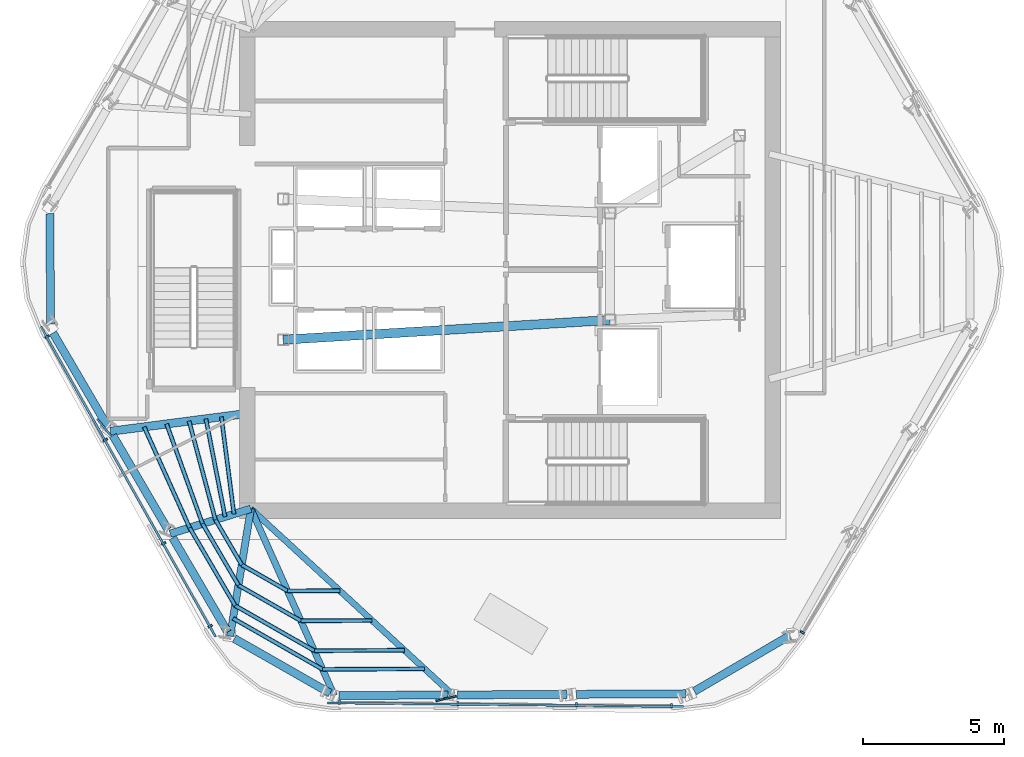
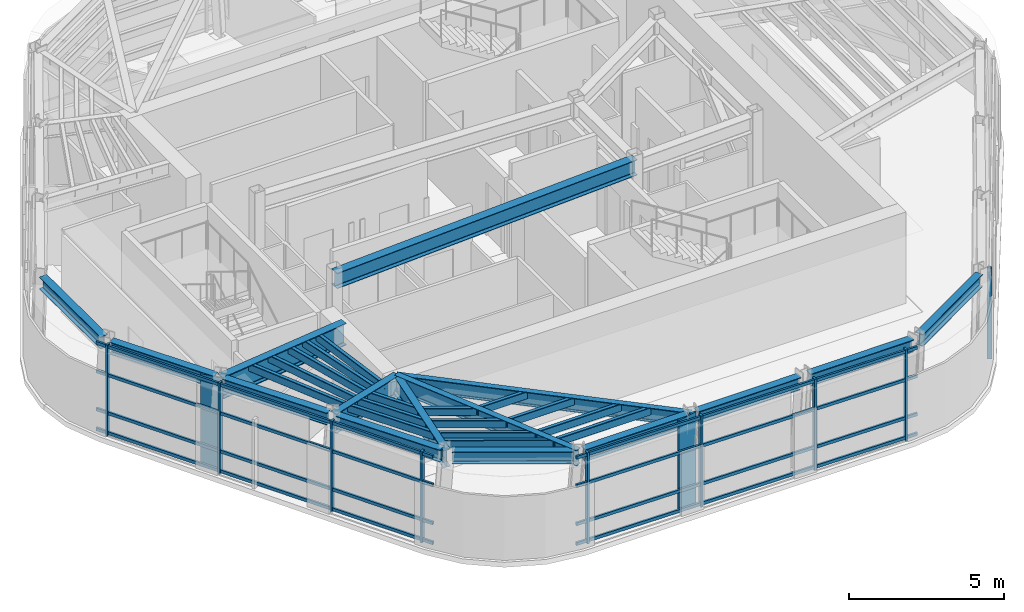
# One storey, part 2 of 13: 35 members, 15 beams, 3 elements without a shape of their own.
"""IFC4 building model written with IfcOpenShell, lengths in metres."""

from ifc_helpers import new_model, si_unit, direction, frame, origin, origin_2d, place, context, subcontext, project, spatial, rectangle, hollow_rectangle, i_section, extrude, material, layer, layer_set, material_profile, profile_set, type_object, element, aggregate, save


model = new_model("IFC4")

# Units and contexts
model_context = context("Model", 3, precision=1e-05, world=origin(), true_north=direction((0.0, 1.0)))
body_context = subcontext(model_context, "Body", "Model", "MODEL_VIEW")
ifc_project = project(units=[si_unit("LENGTHUNIT", "METRE"), si_unit("AREAUNIT", "SQUARE_METRE"), si_unit("VOLUMEUNIT", "CUBIC_METRE"), si_unit("PLANEANGLEUNIT", "RADIAN"), si_unit("MASSUNIT", "GRAM", prefix="KILO")], contexts=[model_context])

# Site, building, storey
site_placement = place(None, origin())
site = spatial("IfcSite", under=ifc_project, at=site_placement, CompositionType="ELEMENT")
building_placement = place(site_placement, origin())
building = spatial("IfcBuilding", under=site, at=building_placement, Name="Valkerne Bourse Tower", CompositionType="ELEMENT")
storey_placement = place(building_placement, frame((0.0, 0.0, 281.199951171875)))
storey = spatial("IfcBuildingStorey", under=building, at=storey_placement, Name="L71", CompositionType="ELEMENT", Elevation=281.199951171875)

# Beams
ifc_material_1 = material(Name="Steel ASTM A992", Category="steel")
ifc_material_profile_1 = material_profile(ifc_material_1, i_section(OverallWidth=0.284423828125, OverallDepth=0.47509765625, WebThickness=0.014892578125, FlangeThickness=0.02392578125, FilletRadius=0.017822265625, at=origin_2d()), Name="W18X106")
ifc_profile_set_1 = profile_set([ifc_material_profile_1], Name="Steel ASTM A992")
beam_type_1 = type_object("IfcBeamType", Name="BM-W18X106", PredefinedType="BEAM", material=ifc_profile_set_1)
beam_1_placement = place(storey_placement, frame((30.468505859375, 28.872314453125, 3.362548828125), z_axis=(0.005237488956, -0.999986284261, 0.0), x_axis=(0.999986284261, 0.005237488956, 0.0)))
element("IfcBeam", 1, at=beam_1_placement, inside=storey, type_object=beam_type_1, Name="L71 Hexagonal Spandrel Ring Beam 07", PredefinedType="BEAM", context=body_context, shape_type="SweptSolid", body=[
    extrude(i_section(OverallWidth=0.284423828125, OverallDepth=0.47509765625, WebThickness=0.014892578125, FlangeThickness=0.02392578125, FilletRadius=0.017822265625, at=origin_2d()), origin(), (0.0, 0.0, 1.0), 3.91552734375),
])
beam_2_placement = place(storey_placement, frame((30.57568359375, 24.639892578125, 3.362548828125), z_axis=(0.50450209321, -0.863410468982, 0.0), x_axis=(0.863410468982, 0.50450209321, 0.0)))
element("IfcBeam", 2, at=beam_2_placement, inside=storey, type_object=beam_type_1, Name="L71 Hexagonal Spandrel Ring Beam 08", PredefinedType="BEAM", context=body_context, shape_type="SweptSolid", body=[
    extrude(i_section(OverallWidth=0.284423828125, OverallDepth=0.47509765625, WebThickness=0.014892578125, FlangeThickness=0.02392578125, FilletRadius=0.017822265625, at=origin_2d()), origin(), (0.0, 0.0, 1.0), 3.871826171875),
])
for number, where, z_axis, x_axis, name in (
    (3, (32.70068359375, 21.00341796875, 3.362548828125), (0.50454909697, -0.86338300235, 0.0), (0.86338300235, 0.50454909697, 0.0), "L71 Hexagonal Spandrel Ring Beam 09"),
    (4, (34.82568359375, 17.36669921875, 3.362548828125), (0.50454909697, -0.86338300235, 0.0), (0.86338300235, 0.50454909697, 0.0), "L71 Hexagonal Spandrel Ring Beam 10"),
):
    element("IfcBeam", number, at=place(storey_placement, frame(where, z_axis=z_axis, x_axis=x_axis)), inside=storey, type_object=beam_type_1, Name=name, PredefinedType="BEAM", context=body_context, shape_type="SweptSolid", body=[
        extrude(i_section(OverallWidth=0.284423828125, OverallDepth=0.47509765625, WebThickness=0.014892578125, FlangeThickness=0.02392578125, FilletRadius=0.017822265625, at=origin_2d()), origin(), (0.0, 0.0, 1.0), 3.8720703125),
    ])
beam_3_placement = place(storey_placement, frame((37.0126953125, 13.792724609375, 3.362548828125), z_axis=(0.868622726672, -0.49547407471, 0.0), x_axis=(0.49547407471, 0.868622726672, 0.0)))
element("IfcBeam", 5, at=beam_3_placement, inside=storey, type_object=beam_type_1, Name="L71 Hexagonal Spandrel Ring Beam 11", PredefinedType="BEAM", context=body_context, shape_type="SweptSolid", body=[
    extrude(i_section(OverallWidth=0.284423828125, OverallDepth=0.47509765625, WebThickness=0.014892578125, FlangeThickness=0.02392578125, FilletRadius=0.017822265625, at=origin_2d()), origin(), (0.0, 0.0, 1.0), 3.915771484375),
])
beam_4_placement = place(storey_placement, frame((40.731689453125, 11.769287109375, 3.362548828125), z_axis=(0.999986304885, 0.005233549613, 0.0), x_axis=(-0.005233549613, 0.999986304885, 0.0)))
element("IfcBeam", 6, at=beam_4_placement, inside=storey, type_object=beam_type_1, Name="L71 Hexagonal Spandrel Ring Beam 12", PredefinedType="BEAM", context=body_context, shape_type="SweptSolid", body=[
    extrude(i_section(OverallWidth=0.284423828125, OverallDepth=0.47509765625, WebThickness=0.014892578125, FlangeThickness=0.02392578125, FilletRadius=0.017822265625, at=origin_2d()), origin(), (0.0, 0.0, 1.0), 3.871826171875),
])
for number, where, z_axis, x_axis, name in (
    (7, (44.943603515625, 11.791259765625, 3.362548828125), (0.999986306612, 0.005233219637, 0.0), (-0.005233219637, 0.999986306612, 0.0), "L71 Hexagonal Spandrel Ring Beam 13"),
    (8, (49.155517578125, 11.8134765625, 3.362548828125), (0.999986634579, 0.005170170494, 0.0), (-0.005170170494, 0.999986634579, 0.0), "L71 Hexagonal Spandrel Ring Beam 14"),
):
    element("IfcBeam", number, at=place(storey_placement, frame(where, z_axis=z_axis, x_axis=x_axis)), inside=storey, type_object=beam_type_1, Name=name, PredefinedType="BEAM", context=body_context, shape_type="SweptSolid", body=[
        extrude(i_section(OverallWidth=0.284423828125, OverallDepth=0.47509765625, WebThickness=0.014892578125, FlangeThickness=0.02392578125, FilletRadius=0.017822265625, at=origin_2d()), origin(), (0.0, 0.0, 1.0), 3.8720703125),
    ])
beam_5_placement = place(storey_placement, frame((53.34423828125, 11.92041015625, 3.362548828125), z_axis=(0.86342590968, 0.504475666899, 0.0), x_axis=(-0.504475666899, 0.86342590968, 0.0)))
element("IfcBeam", 9, at=beam_5_placement, inside=storey, type_object=beam_type_1, Name="L71 Hexagonal Spandrel Ring Beam 15", PredefinedType="BEAM", context=body_context, shape_type="SweptSolid", body=[
    extrude(i_section(OverallWidth=0.284423828125, OverallDepth=0.47509765625, WebThickness=0.014892578125, FlangeThickness=0.02392578125, FilletRadius=0.017822265625, at=origin_2d()), origin(), (0.0, 0.0, 1.0), 3.91552734375),
])
ifc_material_profile_2 = material_profile(ifc_material_1, i_section(OverallWidth=0.2138671875, OverallDepth=0.548583984375, WebThickness=0.0146484375, FlangeThickness=0.023681640625, FilletRadius=0.017822265625, at=origin_2d()), Name="W21X93")
ifc_profile_set_2 = profile_set([ifc_material_profile_2], Name="Steel ASTM A992")
beam_type_2 = type_object("IfcBeamType", Name="BM-W21X93", PredefinedType="BEAM", material=ifc_profile_set_2)
beam_6_placement = place(storey_placement, frame((44.773681640625, 11.790283203125, 3.32568359375), z_axis=(-0.735423981318, 0.67760723705, 0.0), x_axis=(-0.67760723705, -0.735423981318, 0.0)))
element("IfcBeam", 10, at=beam_6_placement, inside=storey, type_object=beam_type_2, Name="L71 Radial Composite Floor Beam 13", PredefinedType="BEAM", context=body_context, shape_type="SweptSolid", body=[
    extrude(i_section(OverallWidth=0.2138671875, OverallDepth=0.548583984375, WebThickness=0.0146484375, FlangeThickness=0.023681640625, FilletRadius=0.017822265625, at=origin_2d()), origin(), (0.0, 0.0, 1.0), 9.75439453125),
])
ifc_material_profile_3 = material_profile(ifc_material_1, i_section(OverallWidth=0.3251953125, OverallDepth=0.612060546875, WebThickness=0.0126953125, FlangeThickness=0.01904296875, FilletRadius=0.020263671875, at=origin_2d()), Name="W24X104")
ifc_profile_set_3 = profile_set([ifc_material_profile_3], Name="Steel ASTM A992")
beam_type_3 = type_object("IfcBeamType", Name="BM-W24X104", PredefinedType="BEAM", material=ifc_profile_set_3)
beam_7_placement = place(storey_placement, frame((38.75, 24.39990234375, 3.2939453125), z_axis=(0.998183228389, 0.060251494276, 0.0), x_axis=(-0.060251494276, 0.998183228389, 0.0)))
element("IfcBeam", 11, at=beam_7_placement, inside=storey, type_object=beam_type_3, Name="L71 Core Frame Girder CG-SW", PredefinedType="BEAM", context=body_context, shape_type="SweptSolid", body=[
    extrude(i_section(OverallWidth=0.3251953125, OverallDepth=0.612060546875, WebThickness=0.0126953125, FlangeThickness=0.01904296875, FilletRadius=0.020263671875, at=origin_2d()), origin(), (0.0, 0.0, 1.0), 11.62109375),
])
ifc_material_profile_4 = material_profile(ifc_material_1, i_section(OverallWidth=0.228271484375, OverallDepth=0.607177734375, WebThickness=0.01123046875, FlangeThickness=0.017333984375, FilletRadius=0.017822265625, at=origin_2d()), Name="W24X76")
ifc_profile_set_4 = profile_set([ifc_material_profile_4], Name="Steel ASTM A992")
beam_type_4 = type_object("IfcBeamType", Name="BM-W24X76", PredefinedType="JOIST", material=ifc_profile_set_4)
beam_8_placement = place(storey_placement, frame((40.561767578125, 11.768310546875, 3.296630859375), z_axis=(-0.40778147016, 0.913079554362, 0.0), x_axis=(-0.913079554362, -0.40778147016, 0.0)))
element("IfcBeam", 12, at=beam_8_placement, inside=storey, type_object=beam_type_4, Name="L71 Radial Composite Floor Beam 12", PredefinedType="JOIST", context=body_context, shape_type="SweptSolid", body=[
    extrude(i_section(OverallWidth=0.228271484375, OverallDepth=0.607177734375, WebThickness=0.01123046875, FlangeThickness=0.017333984375, FilletRadius=0.017822265625, at=origin_2d()), origin(), (0.0, 0.0, 1.0), 7.262939453125),
])
ifc_material_profile_5 = material_profile(ifc_material_1, i_section(OverallWidth=0.255859375, OverallDepth=0.693359375, WebThickness=0.014404296875, FlangeThickness=0.023681640625, FilletRadius=0.02294921875, at=origin_2d()), Name="W27X114")
ifc_profile_set_5 = profile_set([ifc_material_profile_5], Name="Steel ASTM A992")
beam_type_5 = type_object("IfcBeamType", Name="BM-W27X114", PredefinedType="BEAM", material=ifc_profile_set_5)
beam_9_placement = place(storey_placement, frame((36.864990234375, 13.876953125, 3.25341796875), z_axis=(0.160423321214, 0.987048305814, 0.0), x_axis=(-0.987048305814, 0.160423321214, 0.0)))
element("IfcBeam", 13, at=beam_9_placement, inside=storey, type_object=beam_type_5, Name="L71 Radial Composite Floor Beam 11", PredefinedType="BEAM", context=body_context, shape_type="SweptSolid", body=[
    extrude(i_section(OverallWidth=0.255859375, OverallDepth=0.693359375, WebThickness=0.014404296875, FlangeThickness=0.023681640625, FilletRadius=0.02294921875, at=origin_2d()), origin(), (0.0, 0.0, 1.0), 4.582275390625),
])
ifc_material_profile_6 = material_profile(ifc_material_1, i_section(OverallWidth=0.26806640625, OverallDepth=0.76953125, WebThickness=0.015625, FlangeThickness=0.025390625, FilletRadius=0.025390625, at=origin_2d()), Name="W30X132")
ifc_profile_set_6 = profile_set([ifc_material_profile_6], Name="Steel ASTM A992")
beam_type_6 = type_object("IfcBeamType", Name="BM-W30X132", PredefinedType="BEAM", material=ifc_profile_set_6)
beam_10_placement = place(storey_placement, frame((34.739990234375, 17.513427734375, 3.21533203125), z_axis=(0.955172313662, 0.296050420052, 0.0), x_axis=(-0.296050420052, 0.955172313662, 0.0)))
element("IfcBeam", 14, at=beam_10_placement, inside=storey, type_object=beam_type_6, Name="L71 Radial Composite Floor Beam 10", PredefinedType="BEAM", context=body_context, shape_type="SweptSolid", body=[
    extrude(i_section(OverallWidth=0.26806640625, OverallDepth=0.76953125, WebThickness=0.015625, FlangeThickness=0.025390625, FilletRadius=0.025390625, at=origin_2d()), origin(), (0.0, 0.0, 1.0), 2.994384765625),
])
ifc_material_profile_7 = material_profile(ifc_material_1, i_section(OverallWidth=0.2919921875, OverallDepth=0.8583984375, WebThickness=0.01708984375, FlangeThickness=0.031005859375, FilletRadius=0.025390625, at=origin_2d()), Name="W33X169")
ifc_profile_set_7 = profile_set([ifc_material_profile_7], Name="Steel ASTM A992")
beam_type_7 = type_object("IfcBeamType", Name="BM-W33X169", PredefinedType="BEAM", material=ifc_profile_set_7)
beam_11_placement = place(storey_placement, frame((32.614990234375, 21.150146484375, 3.170654296875), z_axis=(0.991608803825, 0.129274824222, 0.0), x_axis=(-0.129274824222, 0.991608803825, 0.0)))
element("IfcBeam", 15, at=beam_11_placement, inside=storey, type_object=beam_type_7, Name="L71 Radial Composite Floor Beam 09", PredefinedType="BEAM", context=body_context, shape_type="SweptSolid", body=[
    extrude(i_section(OverallWidth=0.2919921875, OverallDepth=0.8583984375, WebThickness=0.01708984375, FlangeThickness=0.031005859375, FilletRadius=0.025390625, at=origin_2d()), origin(), (0.0, 0.0, 1.0), 5.02734375),
])

# Curtain wall, members
ifc_material_2 = material(Name="Aluminium AA 6063-T6", Category="aluminium")
ifc_layer = layer(ifc_material_2, 0.2451171875)
ifc_layer_set = layer_set([ifc_layer], Name="Aluminium AA 6063-T6")
curtain_wall_type = type_object("IfcCurtainWallType", Name="CW-05", PredefinedType="NOTDEFINED", material=ifc_layer_set)
curtain_wall_1_placement = place(storey_placement, origin())
curtain_wall_1 = element("IfcCurtainWall", 16, at=curtain_wall_1_placement, inside=storey, type_object=curtain_wall_type, Name="L71 Hexagonal Stick Curtain Wall Face 3", PredefinedType="NOTDEFINED")
ifc_material_profile_8 = material_profile(ifc_material_2, rectangle(XDim=0.074951171875, YDim=0.159912109375, at=origin_2d()), Name="CWM-75X160")
ifc_profile_set_8 = profile_set([ifc_material_profile_8], Name="Aluminium AA 6063-T6")
member_type_1 = type_object("IfcMemberType", Name="CW-MUL-160X75", PredefinedType="MULLION", material=ifc_profile_set_8)
member_1_placement = place(storey_placement, frame((30.3671875, 24.510498046875, 0.0), z_axis=(0.0, 0.0, 1.0), x_axis=(0.490911504685, -0.871209443571, 0.0)))
member_1 = element("IfcMember", 17, at=member_1_placement, type_object=member_type_1, Name="CW-L71-F3 Jamb Mullion 00A", PredefinedType="MULLION", context=body_context, shape_type="SweptSolid", body=[
    extrude(rectangle(XDim=0.074951171875, YDim=0.159912109375, at=origin_2d()), origin(), (0.0, 0.0, 1.0), 3.60009765625),
])
member_2_placement = place(storey_placement, frame((32.434814453125, 20.8408203125, 0.0), z_axis=(0.0, 0.0, 1.0), x_axis=(0.490901350772, -0.871215165049, 0.0)))
member_2 = element("IfcMember", 18, at=member_2_placement, type_object=member_type_1, Name="CW-L71-F3 Jamb Mullion 01A", PredefinedType="MULLION", context=body_context, shape_type="SweptSolid", body=[
    extrude(rectangle(XDim=0.074951171875, YDim=0.159912109375, at=origin_2d()), origin(), (0.0, 0.0, 1.0), 3.60009765625),
])
member_3_placement = place(storey_placement, frame((34.50244140625, 17.17138671875, 0.0), z_axis=(0.0, 0.0, 1.0), x_axis=(0.490901350772, -0.871215165049, 0.0)))
member_3 = element("IfcMember", 19, at=member_3_placement, type_object=member_type_1, Name="CW-L71-F3 Jamb Mullion 02A", PredefinedType="MULLION", context=body_context, shape_type="SweptSolid", body=[
    extrude(rectangle(XDim=0.074951171875, YDim=0.159912109375, at=origin_2d()), origin(), (0.0, 0.0, 1.0), 3.60009765625),
])
member_4_placement = place(storey_placement, frame((36.15771484375, 14.2333984375, 0.0), z_axis=(0.0, 0.0, 1.0), x_axis=(0.490901350772, -0.871215165049, 0.0)))
member_4 = element("IfcMember", 20, at=member_4_placement, type_object=member_type_1, Name="CW-L71-F3 Jamb Mullion 02B", PredefinedType="MULLION", context=body_context, shape_type="SweptSolid", body=[
    extrude(rectangle(XDim=0.074951171875, YDim=0.159912109375, at=origin_2d()), origin(), (0.0, 0.0, 1.0), 3.60009765625),
])

curtain_wall_2_placement = place(storey_placement, origin())
curtain_wall_2 = element("IfcCurtainWall", 21, at=curtain_wall_2_placement, inside=storey, type_object=curtain_wall_type, Name="L71 Hexagonal Stick Curtain Wall Face 4", PredefinedType="NOTDEFINED")
member_5_placement = place(storey_placement, frame((40.739501953125, 11.523681640625, 0.0), z_axis=(0.0, 0.0, 1.0), x_axis=(0.999945187956, -0.010470008742, 0.0)))
member_5 = element("IfcMember", 22, at=member_5_placement, type_object=member_type_1, Name="CW-L71-F4 Jamb Mullion 00A", PredefinedType="MULLION", context=body_context, shape_type="SweptSolid", body=[
    extrude(rectangle(XDim=0.074951171875, YDim=0.159912109375, at=origin_2d()), origin(), (0.0, 0.0, 1.0), 3.60009765625),
])
member_6_placement = place(storey_placement, frame((44.951416015625, 11.479736328125, 0.0), z_axis=(0.0, 0.0, 1.0), x_axis=(0.999945185354, -0.010470257299, 0.0)))
member_6 = element("IfcMember", 23, at=member_6_placement, type_object=member_type_1, Name="CW-L71-F4 Jamb Mullion 01A", PredefinedType="MULLION", context=body_context, shape_type="SweptSolid", body=[
    extrude(rectangle(XDim=0.074951171875, YDim=0.159912109375, at=origin_2d()), origin(), (0.0, 0.0, 1.0), 3.60009765625),
])
member_7_placement = place(storey_placement, frame((49.1630859375, 11.435546875, 0.0), z_axis=(0.0, 0.0, 1.0), x_axis=(0.999945187956, -0.010470008742, 0.0)))
member_7 = element("IfcMember", 24, at=member_7_placement, type_object=member_type_1, Name="CW-L71-F4 Jamb Mullion 02A", PredefinedType="MULLION", context=body_context, shape_type="SweptSolid", body=[
    extrude(rectangle(XDim=0.074951171875, YDim=0.159912109375, at=origin_2d()), origin(), (0.0, 0.0, 1.0), 3.60009765625),
])
member_8_placement = place(storey_placement, frame((52.534912109375, 11.400390625, 0.0), z_axis=(0.0, 0.0, 1.0), x_axis=(0.999945187956, -0.010470008742, 0.0)))
member_8 = element("IfcMember", 25, at=member_8_placement, type_object=member_type_1, Name="CW-L71-F4 Jamb Mullion 02B", PredefinedType="MULLION", context=body_context, shape_type="SweptSolid", body=[
    extrude(rectangle(XDim=0.074951171875, YDim=0.159912109375, at=origin_2d()), origin(), (0.0, 0.0, 1.0), 3.60009765625),
])

# Curtain wall, member
curtain_wall_3_placement = place(storey_placement, origin())
curtain_wall_3 = element("IfcCurtainWall", 26, at=curtain_wall_3_placement, inside=storey, type_object=curtain_wall_type, Name="L71 Hexagonal Stick Curtain Wall Face 5", PredefinedType="NOTDEFINED")
member_9_placement = place(storey_placement, frame((57.172607421875, 14.013427734375, 0.0), z_axis=(0.0, 0.0, 1.0), x_axis=(0.509038826061, 0.860743558537, 0.0)))
member_9 = element("IfcMember", 27, at=member_9_placement, type_object=member_type_1, Name="CW-L71-F5 Jamb Mullion 00A", PredefinedType="MULLION", context=body_context, shape_type="SweptSolid", body=[
    extrude(rectangle(XDim=0.074951171875, YDim=0.159912109375, at=origin_2d()), origin(), (0.0, 0.0, 1.0), 3.60009765625),
])
aggregate(curtain_wall_3, [member_9])

# Member
ifc_material_profile_9 = material_profile(ifc_material_2, rectangle(XDim=0.074951171875, YDim=0.1201171875, at=origin_2d()), Name="CWT-75X120")
ifc_profile_set_9 = profile_set([ifc_material_profile_9], Name="Aluminium AA 6063-T6")
member_type_2 = type_object("IfcMemberType", Name="CW-TRN-120X75", PredefinedType="USERDEFINED", material=ifc_profile_set_9)
member_10_placement = place(storey_placement, frame((30.1435546875, 24.866455078125, 0.1201171875), z_axis=(0.490911485908, -0.871209454152, 0.0), x_axis=(0.871209454152, 0.490911485908, 0.0)))
member_10 = element("IfcMember", 28, at=member_10_placement, type_object=member_type_2, Name="CW-L71-F3 Continuous Face Transom 1", ObjectType="TRANSOM", PredefinedType="USERDEFINED", context=body_context, shape_type="SweptSolid", body=[
    extrude(rectangle(XDim=0.074951171875, YDim=0.1201171875, at=origin_2d()), origin(), (0.0, 0.0, 1.0), 12.635986328125),
])

member_11_placement = place(storey_placement, frame((30.1435546875, 24.866455078125, 0.900146484375), z_axis=(0.490911485908, -0.871209454152, 0.0), x_axis=(0.871209454152, 0.490911485908, 0.0)))
member_11 = element("IfcMember", 29, at=member_11_placement, type_object=member_type_2, Name="CW-L71-F3 Continuous Face Transom 2", ObjectType="TRANSOM", PredefinedType="USERDEFINED", context=body_context, shape_type="SweptSolid", body=[
    extrude(rectangle(XDim=0.074951171875, YDim=0.1201171875, at=origin_2d()), origin(), (0.0, 0.0, 1.0), 12.635986328125),
])

member_12_placement = place(storey_placement, frame((30.1435546875, 24.866455078125, 2.400146484375), z_axis=(0.490911485908, -0.871209454152, 0.0), x_axis=(0.871209454152, 0.490911485908, 0.0)))
member_12 = element("IfcMember", 30, at=member_12_placement, type_object=member_type_2, Name="CW-L71-F3 Continuous Face Transom 3", ObjectType="TRANSOM", PredefinedType="USERDEFINED", context=body_context, shape_type="SweptSolid", body=[
    extrude(rectangle(XDim=0.074951171875, YDim=0.1201171875, at=origin_2d()), origin(), (0.0, 0.0, 1.0), 12.635986328125),
])

member_13_placement = place(storey_placement, frame((30.1435546875, 24.866455078125, 3.52001953125), z_axis=(0.490911485908, -0.871209454152, 0.0), x_axis=(0.871209454152, 0.490911485908, 0.0)))
member_13 = element("IfcMember", 31, at=member_13_placement, type_object=member_type_2, Name="CW-L71-F3 Continuous Face Transom 4", ObjectType="TRANSOM", PredefinedType="USERDEFINED", context=body_context, shape_type="SweptSolid", body=[
    extrude(rectangle(XDim=0.074951171875, YDim=0.1201171875, at=origin_2d()), origin(), (0.0, 0.0, 1.0), 12.635986328125),
])

aggregate(curtain_wall_1, [member_10, member_11, member_12, member_13, member_1, member_2, member_3, member_4])

member_14_placement = place(storey_placement, frame((40.3193359375, 11.50830078125, 0.1201171875), z_axis=(0.999945166621, -0.010472046225, 0.0), x_axis=(0.010472046225, 0.999945166621, 0.0)))
member_14 = element("IfcMember", 32, at=member_14_placement, type_object=member_type_2, Name="CW-L71-F4 Continuous Face Transom 1", ObjectType="TRANSOM", PredefinedType="USERDEFINED", context=body_context, shape_type="SweptSolid", body=[
    extrude(rectangle(XDim=0.074951171875, YDim=0.1201171875, at=origin_2d()), origin(), (0.0, 0.0, 1.0), 12.635986328125),
])

member_15_placement = place(storey_placement, frame((40.3193359375, 11.50830078125, 0.900146484375), z_axis=(0.999945166621, -0.010472046225, 0.0), x_axis=(0.010472046225, 0.999945166621, 0.0)))
member_15 = element("IfcMember", 33, at=member_15_placement, type_object=member_type_2, Name="CW-L71-F4 Continuous Face Transom 2", ObjectType="TRANSOM", PredefinedType="USERDEFINED", context=body_context, shape_type="SweptSolid", body=[
    extrude(rectangle(XDim=0.074951171875, YDim=0.1201171875, at=origin_2d()), origin(), (0.0, 0.0, 1.0), 12.635986328125),
])

member_16_placement = place(storey_placement, frame((40.3193359375, 11.50830078125, 2.400146484375), z_axis=(0.999945166621, -0.010472046225, 0.0), x_axis=(0.010472046225, 0.999945166621, 0.0)))
member_16 = element("IfcMember", 34, at=member_16_placement, type_object=member_type_2, Name="CW-L71-F4 Continuous Face Transom 3", ObjectType="TRANSOM", PredefinedType="USERDEFINED", context=body_context, shape_type="SweptSolid", body=[
    extrude(rectangle(XDim=0.074951171875, YDim=0.1201171875, at=origin_2d()), origin(), (0.0, 0.0, 1.0), 12.635986328125),
])

member_17_placement = place(storey_placement, frame((40.3193359375, 11.50830078125, 3.52001953125), z_axis=(0.999945166621, -0.010472046225, 0.0), x_axis=(0.010472046225, 0.999945166621, 0.0)))
member_17 = element("IfcMember", 35, at=member_17_placement, type_object=member_type_2, Name="CW-L71-F4 Continuous Face Transom 4", ObjectType="TRANSOM", PredefinedType="USERDEFINED", context=body_context, shape_type="SweptSolid", body=[
    extrude(rectangle(XDim=0.074951171875, YDim=0.1201171875, at=origin_2d()), origin(), (0.0, 0.0, 1.0), 12.635986328125),
])

aggregate(curtain_wall_2, [member_14, member_15, member_16, member_17, member_5, member_6, member_7, member_8])

# Members
ifc_material_3 = material(Name="Bronze Anodised Aluminium AA 6063-T6", Category="aluminium")
ifc_material_profile_10 = material_profile(ifc_material_3, rectangle(XDim=0.06494140625, YDim=0.75, at=origin_2d()), Name="FIN-65X750")
ifc_profile_set_10 = profile_set([ifc_material_profile_10], Name="Bronze Anodised Aluminium AA 6063-T6")
member_type_3 = type_object("IfcMemberType", Name="FIN-SOLAR-650", PredefinedType="USERDEFINED", material=ifc_profile_set_10)
for number, where, z_axis, x_axis, name in (
    (36, (32.385498046875, 21.295166015625, 0.004150390625), (0.0, 0.0, 1.0), (-0.772139632808, -0.635452899471, 0.0), "L71 Bronze Anodised Solar Fin F3-01"),
    (37, (44.533203125, 11.6640625, 0.004150390625), (0.0, 0.0, 1.0), (0.222645437817, -0.974899486624, 0.0), "L71 Bronze Anodised Solar Fin F4-01"),
):
    element("IfcMember", number, at=place(storey_placement, frame(where, z_axis=z_axis, x_axis=x_axis)), inside=storey, type_object=member_type_3, Name=name, ObjectType="SOLAR_FIN", PredefinedType="USERDEFINED", context=body_context, shape_type="SweptSolid", body=[
        extrude(rectangle(XDim=0.06494140625, YDim=0.75, at=origin_2d()), origin(), (0.0, 0.0, 1.0), 3.591796875),
    ])
ifc_material_4 = material(Name="Steel ASTM A500 Grade C", Category="steel")
ifc_material_profile_11 = material_profile(ifc_material_4, hollow_rectangle(XDim=0.14990234375, YDim=0.300048828125, WallThickness=0.012451171875, OuterFilletRadius=0.02490234375, at=origin_2d()), Name="HSS300X150X12.5")
ifc_profile_set_11 = profile_set([ifc_material_profile_11], Name="Steel ASTM A500 Grade C")
member_type_4 = type_object("IfcMemberType", Name="MBR-HSS300X150X12.5", PredefinedType="PURLIN", material=ifc_profile_set_11)
member_18_placement = place(storey_placement, frame((36.0048828125, 21.592041015625, 3.43994140625), z_axis=(0.191978410502, -0.981399149124, 0.0), x_axis=(0.981399149124, 0.191978410502, 0.0)))
element("IfcMember", 38, at=member_18_placement, inside=storey, type_object=member_type_4, Name="L71 Secondary Composite Floor Purlin I-09", PredefinedType="PURLIN", context=body_context, shape_type="SweptSolid", body=[
    extrude(hollow_rectangle(XDim=0.14990234375, YDim=0.300048828125, WallThickness=0.012451171875, OuterFilletRadius=0.02490234375, at=origin_2d()), origin(), (0.0, 0.0, 1.0), 3.541748046875),
])
member_19_placement = place(storey_placement, frame((35.406494140625, 21.513916015625, 3.43994140625), z_axis=(0.257838630098, -0.966187994559, 0.0), x_axis=(0.966187994559, 0.257838630098, 0.0)))
element("IfcMember", 39, at=member_19_placement, inside=storey, type_object=member_type_4, Name="L71 Secondary Composite Floor Purlin K-09", PredefinedType="PURLIN", context=body_context, shape_type="SweptSolid", body=[
    extrude(hollow_rectangle(XDim=0.14990234375, YDim=0.300048828125, WallThickness=0.012451171875, OuterFilletRadius=0.02490234375, at=origin_2d()), origin(), (0.0, 0.0, 1.0), 3.62646484375),
])
member_20_placement = place(storey_placement, frame((36.341552734375, 18.010009765625, 3.43994140625), z_axis=(0.504542513558, -0.863386849571, 0.0), x_axis=(0.863386849571, 0.504542513558, 0.0)))
element("IfcMember", 40, at=member_20_placement, inside=storey, type_object=member_type_4, Name="L71 Secondary Composite Floor Purlin K-10", PredefinedType="PURLIN", context=body_context, shape_type="SweptSolid", body=[
    extrude(hollow_rectangle(XDim=0.14990234375, YDim=0.300048828125, WallThickness=0.012451171875, OuterFilletRadius=0.02490234375, at=origin_2d()), origin(), (0.0, 0.0, 1.0), 1.853271484375),
])
member_21_placement = place(storey_placement, frame((37.276611328125, 16.409912109375, 3.43994140625), z_axis=(0.868628019151, -0.495464796273, 0.0), x_axis=(0.495464796273, 0.868628019151, 0.0)))
element("IfcMember", 41, at=member_21_placement, inside=storey, type_object=member_type_4, Name="L71 Secondary Composite Floor Purlin K-11", PredefinedType="PURLIN", context=body_context, shape_type="SweptSolid", body=[
    extrude(hollow_rectangle(XDim=0.14990234375, YDim=0.300048828125, WallThickness=0.012451171875, OuterFilletRadius=0.02490234375, at=origin_2d()), origin(), (0.0, 0.0, 1.0), 1.87255859375),
])
member_22_placement = place(storey_placement, frame((38.903076171875, 15.482177734375, 3.43994140625), z_axis=(0.999986802471, 0.005137595218, 0.0), x_axis=(-0.005137595218, 0.999986802471, 0.0)))
element("IfcMember", 42, at=member_22_placement, inside=storey, type_object=member_type_4, Name="L71 Secondary Composite Floor Purlin K-12", PredefinedType="PURLIN", context=body_context, shape_type="SweptSolid", body=[
    extrude(hollow_rectangle(XDim=0.14990234375, YDim=0.300048828125, WallThickness=0.012451171875, OuterFilletRadius=0.02490234375, at=origin_2d()), origin(), (0.0, 0.0, 1.0), 1.853271484375),
])
member_23_placement = place(storey_placement, frame((33.811279296875, 21.30615234375, 3.43994140625), z_axis=(0.411276899584, -0.911510456258, 0.0), x_axis=(0.911510456258, 0.411276899584, 0.0)))
element("IfcMember", 43, at=member_23_placement, inside=storey, type_object=member_type_4, Name="L71 Secondary Composite Floor Purlin O-09", PredefinedType="PURLIN", context=body_context, shape_type="SweptSolid", body=[
    extrude(hollow_rectangle(XDim=0.14990234375, YDim=0.300048828125, WallThickness=0.012451171875, OuterFilletRadius=0.02490234375, at=origin_2d()), origin(), (0.0, 0.0, 1.0), 3.92724609375),
])
member_24_placement = place(storey_placement, frame((35.426513671875, 17.726318359375, 3.43994140625), z_axis=(0.504501570044, -0.863410774674, 0.0), x_axis=(0.863410774674, 0.504501570044, 0.0)))
element("IfcMember", 44, at=member_24_placement, inside=storey, type_object=member_type_4, Name="L71 Secondary Composite Floor Purlin O-10", PredefinedType="PURLIN", context=body_context, shape_type="SweptSolid", body=[
    extrude(hollow_rectangle(XDim=0.14990234375, YDim=0.300048828125, WallThickness=0.012451171875, OuterFilletRadius=0.02490234375, at=origin_2d()), origin(), (0.0, 0.0, 1.0), 3.201171875),
])
member_25_placement = place(storey_placement, frame((37.04150390625, 14.96240234375, 3.43994140625), z_axis=(0.868647008259, -0.495431503885, 0.0), x_axis=(0.495431503885, 0.868647008259, 0.0)))
element("IfcMember", 45, at=member_25_placement, inside=storey, type_object=member_type_4, Name="L71 Secondary Composite Floor Purlin O-11", PredefinedType="PURLIN", context=body_context, shape_type="SweptSolid", body=[
    extrude(hollow_rectangle(XDim=0.14990234375, YDim=0.300048828125, WallThickness=0.012451171875, OuterFilletRadius=0.02490234375, at=origin_2d()), origin(), (0.0, 0.0, 1.0), 3.234130859375),
])
member_26_placement = place(storey_placement, frame((39.850830078125, 13.360107421875, 3.43994140625), z_axis=(0.999986552511, 0.005186019339, 0.0), x_axis=(-0.005186019339, 0.999986552511, 0.0)))
element("IfcMember", 46, at=member_26_placement, inside=storey, type_object=member_type_4, Name="L71 Secondary Composite Floor Purlin O-12", PredefinedType="PURLIN", context=body_context, shape_type="SweptSolid", body=[
    extrude(hollow_rectangle(XDim=0.14990234375, YDim=0.300048828125, WallThickness=0.012451171875, OuterFilletRadius=0.02490234375, at=origin_2d()), origin(), (0.0, 0.0, 1.0), 3.201171875),
])
member_27_placement = place(storey_placement, frame((34.60888671875, 21.41015625, 3.43994140625), z_axis=(0.338726357729, -0.940884931636, 0.0), x_axis=(0.940884931636, 0.338726357729, 0.0)))
element("IfcMember", 47, at=member_27_placement, inside=storey, type_object=member_type_4, Name="L71 Secondary Composite Floor Purlin Z-09", PredefinedType="PURLIN", context=body_context, shape_type="SweptSolid", body=[
    extrude(hollow_rectangle(XDim=0.14990234375, YDim=0.300048828125, WallThickness=0.012451171875, OuterFilletRadius=0.02490234375, at=origin_2d()), origin(), (0.0, 0.0, 1.0), 3.7646484375),
])
member_28_placement = place(storey_placement, frame((35.884033203125, 17.8681640625, 3.43994140625), z_axis=(0.504531548653, -0.863393257105, 0.0), x_axis=(0.863393257105, 0.504531548653, 0.0)))
element("IfcMember", 48, at=member_28_placement, inside=storey, type_object=member_type_4, Name="L71 Secondary Composite Floor Purlin Z-10", PredefinedType="PURLIN", context=body_context, shape_type="SweptSolid", body=[
    extrude(hollow_rectangle(XDim=0.14990234375, YDim=0.300048828125, WallThickness=0.012451171875, OuterFilletRadius=0.02490234375, at=origin_2d()), origin(), (0.0, 0.0, 1.0), 2.52734375),
])
member_29_placement = place(storey_placement, frame((37.1591796875, 15.68603515625, 3.43994140625), z_axis=(0.868607732642, -0.495500360034, 0.0), x_axis=(0.495500360034, 0.868607732642, 0.0)))
element("IfcMember", 49, at=member_29_placement, inside=storey, type_object=member_type_4, Name="L71 Secondary Composite Floor Purlin Z-11", PredefinedType="PURLIN", context=body_context, shape_type="SweptSolid", body=[
    extrude(hollow_rectangle(XDim=0.14990234375, YDim=0.300048828125, WallThickness=0.012451171875, OuterFilletRadius=0.02490234375, at=origin_2d()), origin(), (0.0, 0.0, 1.0), 2.55322265625),
])
member_30_placement = place(storey_placement, frame((39.376953125, 14.4208984375, 3.43994140625), z_axis=(0.99998639495, 0.005216312338, 0.0), x_axis=(-0.005216312338, 0.99998639495, 0.0)))
element("IfcMember", 50, at=member_30_placement, inside=storey, type_object=member_type_4, Name="L71 Secondary Composite Floor Purlin Z-12", PredefinedType="PURLIN", context=body_context, shape_type="SweptSolid", body=[
    extrude(hollow_rectangle(XDim=0.14990234375, YDim=0.300048828125, WallThickness=0.012451171875, OuterFilletRadius=0.02490234375, at=origin_2d()), origin(), (0.0, 0.0, 1.0), 2.52734375),
])
member_31_placement = place(storey_placement, frame((36.552978515625, 21.66357421875, 3.43994140625), z_axis=(0.128369957176, -0.991726350409, 0.0), x_axis=(0.991726350409, 0.128369957176, 0.0)))
element("IfcMember", 51, at=member_31_placement, inside=storey, type_object=member_type_4, Name="L71 Secondary Composite Floor Purlin S-09", PredefinedType="PURLIN", context=body_context, shape_type="SweptSolid", body=[
    extrude(hollow_rectangle(XDim=0.14990234375, YDim=0.300048828125, WallThickness=0.012451171875, OuterFilletRadius=0.02490234375, at=origin_2d()), origin(), (0.0, 0.0, 1.0), 3.478515625),
])
member_32_placement = place(storey_placement, frame((36.968017578125, 14.510009765625, 3.43994140625), z_axis=(0.868649246065, -0.495427580289, 0.0), x_axis=(0.495427580289, 0.868649246065, 0.0)))
element("IfcMember", 52, at=member_32_placement, inside=storey, type_object=member_type_4, Name="L71 Secondary Composite Floor Purlin T-11", PredefinedType="PURLIN", context=body_context, shape_type="SweptSolid", body=[
    extrude(hollow_rectangle(XDim=0.14990234375, YDim=0.300048828125, WallThickness=0.012451171875, OuterFilletRadius=0.02490234375, at=origin_2d()), origin(), (0.0, 0.0, 1.0), 3.659912109375),
])
member_33_placement = place(storey_placement, frame((40.147216796875, 12.69677734375, 3.43994140625), z_axis=(0.999986179729, 0.005257409141, 0.0), x_axis=(-0.005257409141, 0.999986179729, 0.0)))
element("IfcMember", 53, at=member_33_placement, inside=storey, type_object=member_type_4, Name="L71 Secondary Composite Floor Purlin T-12", PredefinedType="PURLIN", context=body_context, shape_type="SweptSolid", body=[
    extrude(hollow_rectangle(XDim=0.14990234375, YDim=0.300048828125, WallThickness=0.012451171875, OuterFilletRadius=0.02490234375, at=origin_2d()), origin(), (0.0, 0.0, 1.0), 3.6220703125),
])

save(model, "model.ifc")
